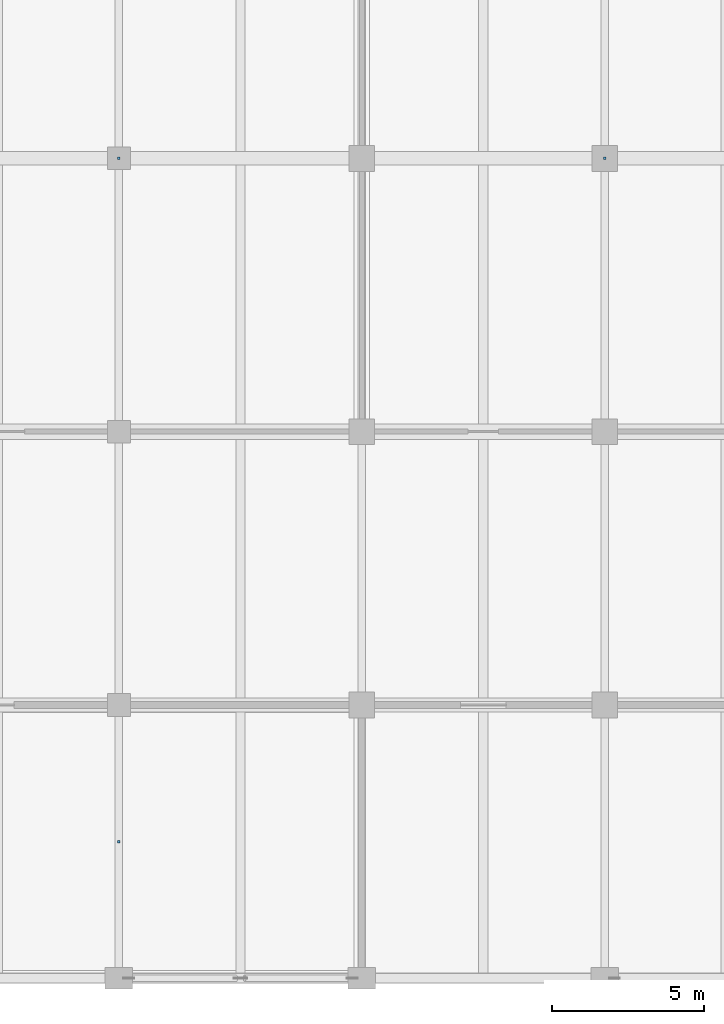
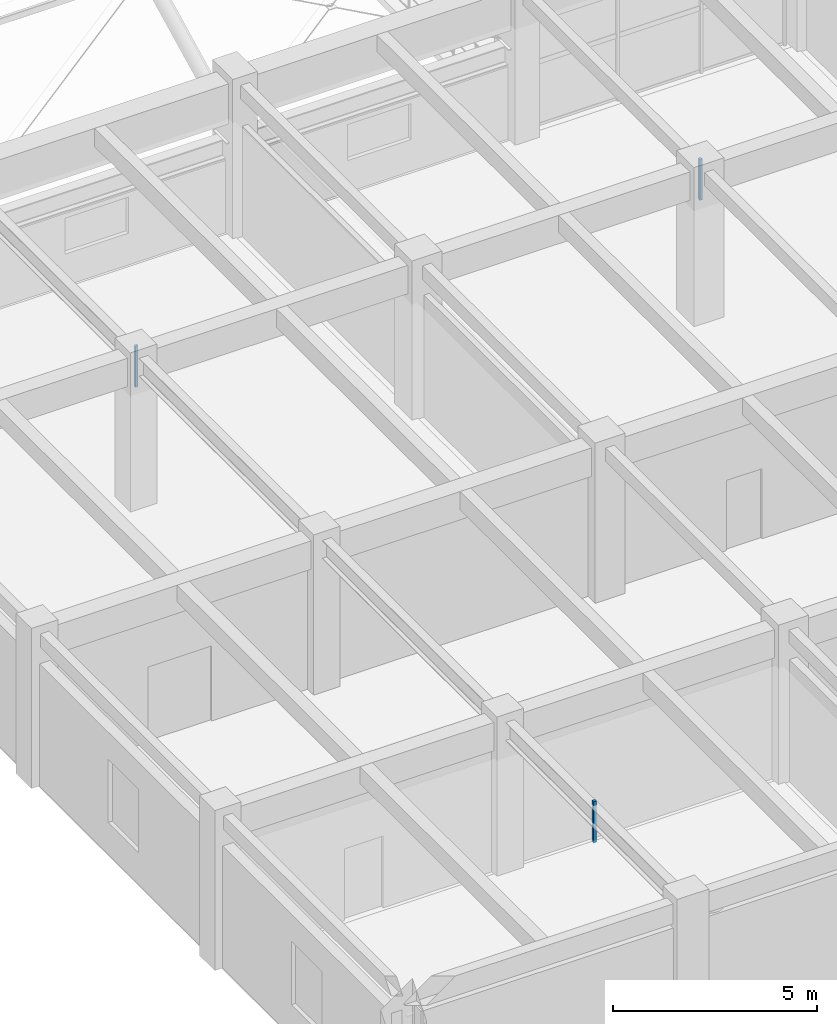
# One storey, part 116 of 144: 3 discrete accessories.
"""IFC4 building model written with IfcOpenShell, lengths in metres."""

from ifc_helpers import new_model, si_unit, direction, frame, origin, origin_2d, place, context, subcontext, project, spatial, rectangle, extrude, material, layer, layer_set, type_object, element, save


model = new_model("IFC4")

# Units and contexts
model_context = context("Model", 3, precision=1e-05, world=origin(), true_north=direction((0.0, 1.0)))
body_context = subcontext(model_context, "Body", "Model", "MODEL_VIEW")
ifc_project = project(units=[si_unit("LENGTHUNIT", "METRE"), si_unit("AREAUNIT", "SQUARE_METRE"), si_unit("VOLUMEUNIT", "CUBIC_METRE"), si_unit("PLANEANGLEUNIT", "RADIAN"), si_unit("MASSUNIT", "GRAM", prefix="KILO")], contexts=[model_context])

# Site, building, storey
site_placement = place(None, origin())
site = spatial("IfcSite", under=ifc_project, at=site_placement, CompositionType="ELEMENT")
building_placement = place(site_placement, origin())
building = spatial("IfcBuilding", under=site, at=building_placement, Name="Varnabhumi Central Station", CompositionType="ELEMENT")
storey_placement = place(building_placement, frame((0.0, 0.0, 4.800048828125)))
storey = spatial("IfcBuildingStorey", under=building, at=storey_placement, Name="L01", CompositionType="ELEMENT", Elevation=4.800048828125)

# Discrete accessories
ifc_material = material(Name="Structural steel E350", Category="steel")
ifc_layer = layer(ifc_material, 0.159912109375, Name="Structural steel E350", Category="steel")
ifc_layer_set = layer_set([ifc_layer], Name="Structural steel E350")
discrete_accessory_type = type_object("IfcDiscreteAccessoryType", Name="ACC-SHADE-BRKT", PredefinedType="BRACKET", material=ifc_layer_set)
for number, where, z_axis, x_axis, name in (
    (1, (8.0, 27.0, 3.43994140625), (0.0, 0.0, 1.0), (1.0, 0.0, 0.0), "Forecourt Overlook Transit Lounge Ceiling Hanger"),
    (2, (8.0, 4.5, 3.43994140625), (0.0, 0.0, 1.0), (1.0, 0.0, 0.0), "Station Signage and Maintenance Store Ceiling Hanger"),
    (3, (24.0, 27.0, 3.43994140625), (0.0, 0.0, 1.0), (1.0, 0.0, 0.0), "Booking Accounts and Cash Office Ceiling Hanger"),
):
    element("IfcDiscreteAccessory", number, at=place(storey_placement, frame(where, z_axis=z_axis, x_axis=x_axis)), inside=storey, type_object=discrete_accessory_type, Name=name, PredefinedType="BRACKET", context=body_context, shape_type="SweptSolid", body=[
        extrude(rectangle(XDim=0.080078125, YDim=0.080078125, at=origin_2d()), origin(), (0.0, 0.0, 1.0), 1.22998046875),
    ])

save(model, "model.ifc")
